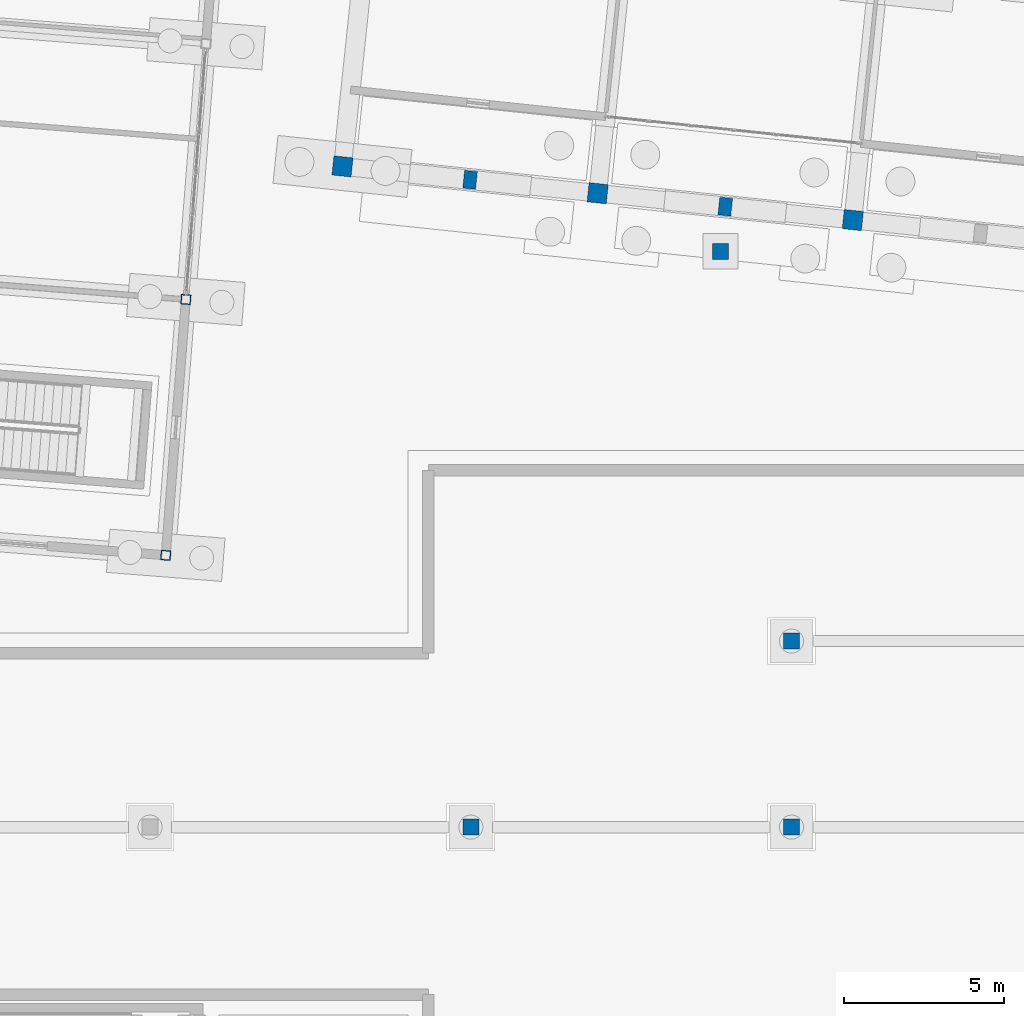
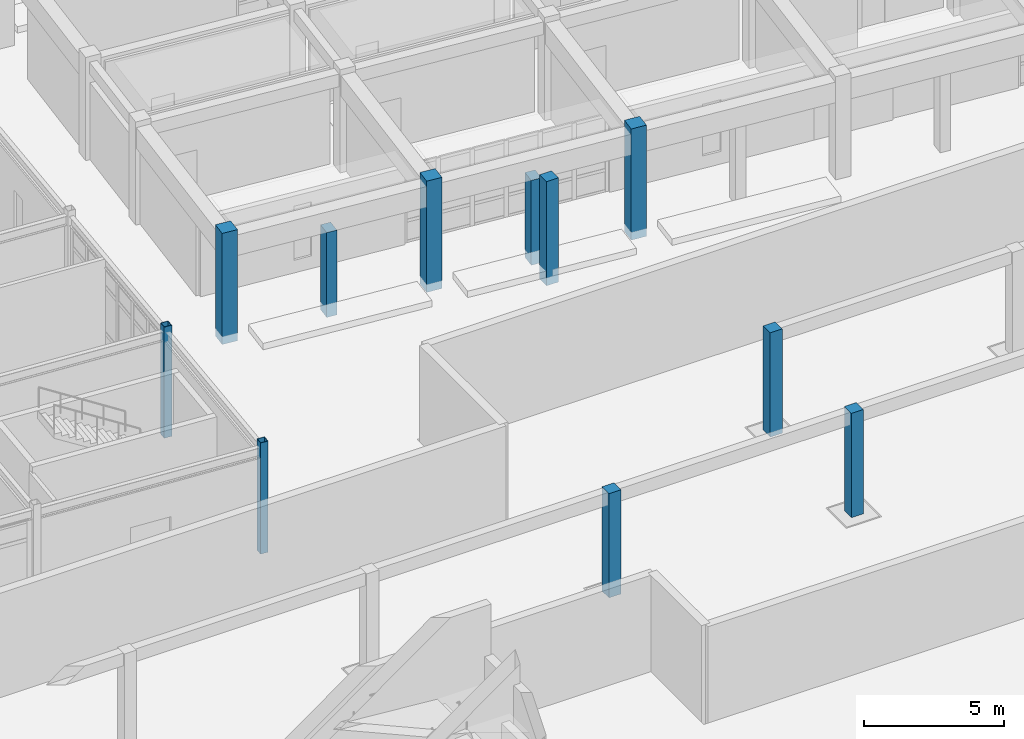
# One storey, part 10 of 154: 11 columns.
"""IFC4 building model written with IfcOpenShell, lengths in metres."""

from ifc_helpers import new_model, si_unit, direction, frame, origin, origin_2d, place, context, subcontext, project, spatial, rectangle, hollow_rectangle, extrude, material, material_profile, profile_set, type_object, element, save


model = new_model("IFC4")

# Units and contexts
model_context = context("Model", 3, precision=1e-05, world=origin(), true_north=direction((0.0, 1.0)))
body_context = subcontext(model_context, "Body", "Model", "MODEL_VIEW")
ifc_project = project(units=[si_unit("LENGTHUNIT", "METRE"), si_unit("AREAUNIT", "SQUARE_METRE"), si_unit("VOLUMEUNIT", "CUBIC_METRE"), si_unit("PLANEANGLEUNIT", "RADIAN"), si_unit("MASSUNIT", "GRAM", prefix="KILO")], contexts=[model_context])

# Site, building, storey
site_placement = place(None, origin())
site = spatial("IfcSite", under=ifc_project, at=site_placement, CompositionType="ELEMENT")
building_placement = place(site_placement, origin())
building = spatial("IfcBuilding", under=site, at=building_placement, Name="Kestramere Prow Commons", CompositionType="ELEMENT")
storey_placement = place(building_placement, origin())
storey = spatial("IfcBuildingStorey", under=building, at=storey_placement, Name="L00", CompositionType="ELEMENT", Elevation=0.0)

# Columns
ifc_material_1 = material(Name="Precast concrete C40/50", Category="concrete")
ifc_material_profile_1 = material_profile(ifc_material_1, rectangle(XDim=0.60009765625, YDim=0.60009765625, at=origin_2d()), Name="PC-COL 600x600")
ifc_profile_set_1 = profile_set([ifc_material_profile_1], Name="Precast concrete C40/50")
column_type_1 = type_object("IfcColumnType", Name="C-B1 PC-COL 600x600 (EX)", PredefinedType="COLUMN", material=ifc_profile_set_1)
for number, where, z_axis, x_axis, name in (
    (1, (110.0, 94.800048828125, -0.35009765625), (0.0, 0.0, 1.0), (0.994521895368, -0.104528463268, 0.0), "Block B L00 Column 1-1"),
    (2, (117.9560546875, 93.9638671875, -0.35009765625), (0.0, 0.0, 1.0), (0.994521895368, -0.104528463268, 0.0), "Block B L00 Column 2-1"),
    (3, (125.912353515625, 93.12744140625, -0.35009765625), (0.0, 0.0, 1.0), (0.994521895368, -0.104528463268, 0.0), "Block B L00 Column 3-1"),
):
    element("IfcColumn", number, at=place(storey_placement, frame(where, z_axis=z_axis, x_axis=x_axis)), inside=storey, type_object=column_type_1, Name=name, PredefinedType="COLUMN", context=body_context, shape_type="SweptSolid", body=[
        extrude(rectangle(XDim=0.60009765625, YDim=0.60009765625, at=origin_2d()), origin(), (0.0, 0.0, 1.0), 4.85009765625),
    ])
ifc_material_profile_2 = material_profile(ifc_material_1, rectangle(XDim=0.5, YDim=0.5, at=origin_2d()), Name="PC-COL 500x500")
ifc_profile_set_2 = profile_set([ifc_material_profile_2], Name="Precast concrete C40/50")
column_type_2 = type_object("IfcColumnType", Name="C-CRT-01 PC-COL 500x500", PredefinedType="COLUMN", material=ifc_profile_set_2)
for number, where, z_axis, x_axis, name in (
    (4, (114.0, 74.199951171875, -0.35009765625), (0.0, 0.0, 1.0), (1.0, 0.0, 0.0), "Courtyard Support Column 114-74"),
    (5, (124.0, 74.199951171875, -0.35009765625), (0.0, 0.0, 1.0), (1.0, 0.0, 0.0), "Courtyard Support Column 124-74"),
    (6, (124.0, 80.0, -0.35009765625), (0.0, 0.0, 1.0), (1.0, 0.0, 0.0), "Courtyard Support Column 124-80"),
):
    element("IfcColumn", number, at=place(storey_placement, frame(where, z_axis=z_axis, x_axis=x_axis)), inside=storey, type_object=column_type_2, Name=name, PredefinedType="COLUMN", context=body_context, shape_type="SweptSolid", body=[
        extrude(rectangle(XDim=0.5, YDim=0.5, at=origin_2d()), origin(), (0.0, 0.0, 1.0), 4.550048828125),
    ])
ifc_material_profile_3 = material_profile(ifc_material_1, rectangle(XDim=0.5, YDim=0.5, at=origin_2d()), Name="PC-COL 500x500")
ifc_profile_set_3 = profile_set([ifc_material_profile_3], Name="Precast concrete C40/50")
column_type_3 = type_object("IfcColumnType", Name="C-CRT-01 PC-COL 500x500 (EX)", PredefinedType="COLUMN", material=ifc_profile_set_3)
column_placement = place(storey_placement, frame((121.787841796875, 92.1533203125, -0.35009765625), z_axis=(0.0, 0.0, 1.0), x_axis=(1.0, 0.0, 0.0)))
element("IfcColumn", 7, at=column_placement, inside=storey, type_object=column_type_3, Name="Courtyard Bridge Support Column B", PredefinedType="COLUMN", context=body_context, shape_type="SweptSolid", body=[
    extrude(rectangle(XDim=0.5, YDim=0.5, at=origin_2d()), origin(), (0.0, 0.0, 1.0), 4.550048828125),
])
ifc_material_2 = material(Name="Steel S355JR", Category="steel")
ifc_material_profile_4 = material_profile(ifc_material_2, hollow_rectangle(XDim=0.300048828125, YDim=0.300048828125, WallThickness=0.01611328125, at=origin_2d()), Name="SHS 300x300x16")
ifc_profile_set_4 = profile_set([ifc_material_profile_4], Name="Steel S355JR")
column_type_4 = type_object("IfcColumnType", Name="C-NR1 SHS 300x300x16", PredefinedType="COLUMN", material=ifc_profile_set_4)
for number, where, z_axis, x_axis, name in (
    (8, (104.489013671875, 82.675537109375, -0.35009765625), (0.0, 0.0, 1.0), (0.996917333733, -0.078459095728, 0.0), "Nursery L00 Steel Column 5-1"),
    (9, (105.11669921875, 90.65087890625, -0.35009765625), (0.0, 0.0, 1.0), (0.996917333733, -0.078459095728, 0.0), "Nursery L00 Steel Column 5-2"),
):
    element("IfcColumn", number, at=place(storey_placement, frame(where, z_axis=z_axis, x_axis=x_axis)), inside=storey, type_object=column_type_4, Name=name, PredefinedType="COLUMN", context=body_context, shape_type="SweptSolid", body=[
        extrude(hollow_rectangle(XDim=0.300048828125, YDim=0.300048828125, WallThickness=0.01611328125, at=origin_2d()), origin(), (0.0, 0.0, 1.0), 4.85009765625),
    ])
ifc_material_profile_5 = material_profile(ifc_material_1, rectangle(XDim=0.39990234375, YDim=0.550048828125, at=origin_2d()), Name="PC-PIL 400x550")
ifc_profile_set_5 = profile_set([ifc_material_profile_5], Name="Precast concrete C40/50")
column_type_5 = type_object("IfcColumnType", Name="PIL-02 PC-PIL 400x550", PredefinedType="PILASTER", material=ifc_profile_set_5)
for number, where, z_axis, x_axis, name in (
    (10, (113.97802734375, 94.3818359375, -0.35009765625), (0.0, 0.0, 1.0), (0.994521895368, -0.104528463268, 0.0), "Block B L00 Colonnade Pilaster S1"),
    (11, (121.934326171875, 93.545654296875, -0.35009765625), (0.0, 0.0, 1.0), (0.994521895368, -0.104528463268, 0.0), "Block B L00 Colonnade Pilaster S2"),
):
    element("IfcColumn", number, at=place(storey_placement, frame(where, z_axis=z_axis, x_axis=x_axis)), inside=storey, type_object=column_type_5, Name=name, PredefinedType="PILASTER", context=body_context, shape_type="SweptSolid", body=[
        extrude(rectangle(XDim=0.39990234375, YDim=0.550048828125, at=origin_2d()), origin(), (0.0, 0.0, 1.0), 3.7001953125),
    ])

save(model, "model.ifc")
